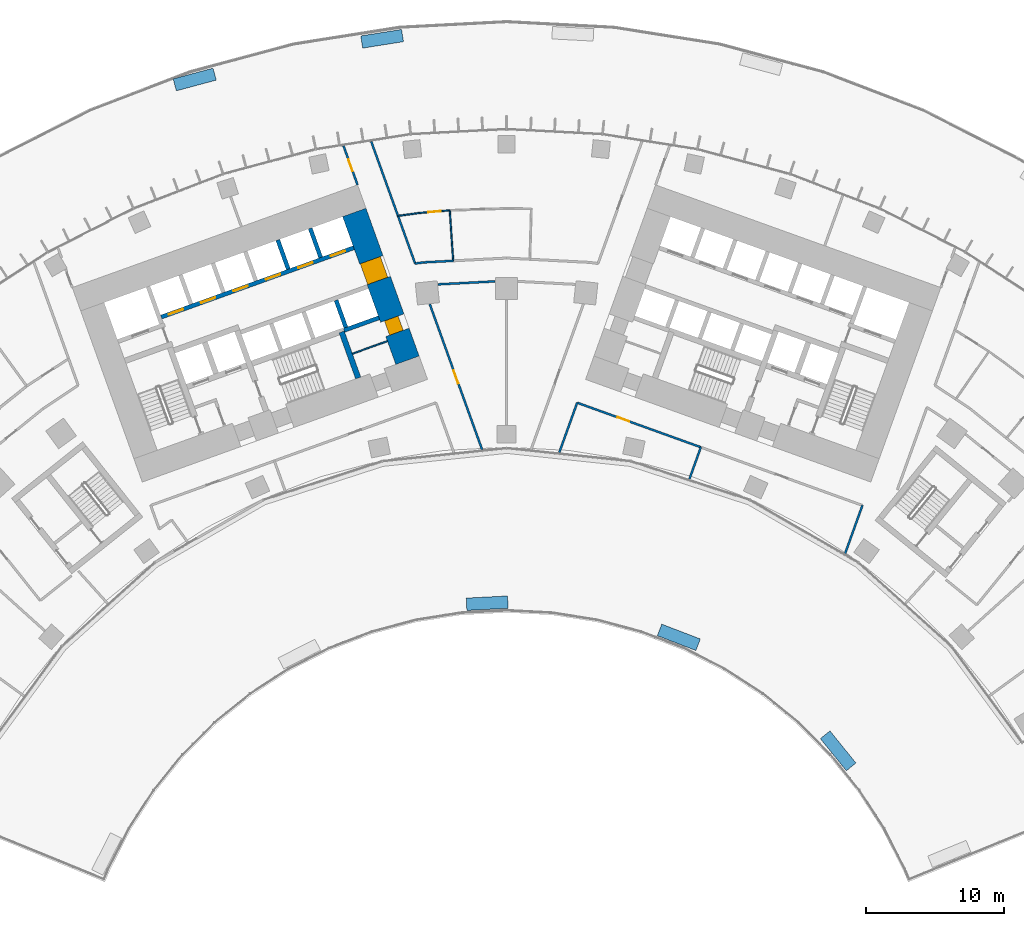
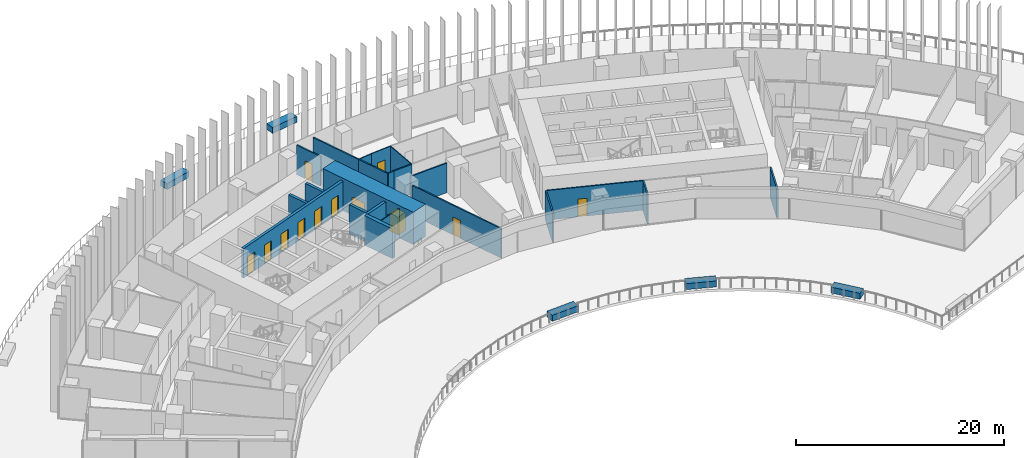
# One storey, part 17 of 24: 27 walls, 12 doors, 12 openings.
"""IFC4 building model written with IfcOpenShell, lengths in metres."""

from ifc_helpers import new_model, si_unit, direction, frame, frame_2d, origin, origin_2d, place, context, subcontext, project, spatial, rectangle, extrude, material, layer, layer_set, type_object, element, fill, save


model = new_model("IFC4")

# Units and contexts
model_context = context("Model", 3, precision=1e-05, world=origin(), true_north=direction((0.0, 1.0)))
body_context = subcontext(model_context, "Body", "Model", "MODEL_VIEW")
ifc_project = project(units=[si_unit("LENGTHUNIT", "METRE"), si_unit("AREAUNIT", "SQUARE_METRE"), si_unit("VOLUMEUNIT", "CUBIC_METRE"), si_unit("PLANEANGLEUNIT", "RADIAN"), si_unit("MASSUNIT", "GRAM", prefix="KILO")], contexts=[model_context])

# Site, building, storey
site_placement = place(None, origin())
site = spatial("IfcSite", under=ifc_project, at=site_placement, CompositionType="ELEMENT")
building_placement = place(site_placement, origin())
building = spatial("IfcBuilding", under=site, at=building_placement, Name="Stone Belt Terrace Tower", CompositionType="ELEMENT")
storey_placement = place(building_placement, frame((0.0, 0.0, 30.0)))
storey = spatial("IfcBuildingStorey", under=building, at=storey_placement, Name="L06", CompositionType="ELEMENT", Elevation=30.0)

# Wall
ifc_material_1 = material(Name="Plasterboard partition")
ifc_layer_1 = layer(ifc_material_1, 0.10009765625)
ifc_layer_set_1 = layer_set([ifc_layer_1], Name="Core partition 100")
wall_type_1 = type_object("IfcWallType", Name="Core partition 100", PredefinedType="PARTITIONING", material=ifc_layer_set_1)
wall_1_placement = place(storey_placement, frame((-11.187744140625, 50.2822265625, 0.0), z_axis=(0.0, 0.0, 1.0), x_axis=(0.940949642365, 0.338546555931, 0.0)))
element("IfcWall", 1, at=wall_1_placement, inside=storey, type_object=wall_type_1, Name="Core A wall", PredefinedType="PARTITIONING", context=body_context, shape_type="SweptSolid", body=[
    extrude(rectangle(XDim=2.699951171875, YDim=0.10009765625, at=frame_2d((1.35009765625, 0.0))), origin(), (0.0, 0.0, 1.0), 3.47998046875),
])

# Wall, openings, doors
ifc_material_2 = material(Name="Concrete B80", Category="concrete")
ifc_layer_2 = layer(ifc_material_2, 1.800048828125)
ifc_layer_set_2 = layer_set([ifc_layer_2], Name="Core wall 1800 B80")
wall_type_2 = type_object("IfcWallType", Name="Core wall 1800 B80", PredefinedType="SHEAR", material=ifc_layer_set_2)
wall_2_placement = place(storey_placement, frame((-7.19091796875, 49.8076171875, 0.0), z_axis=(0.0, 0.0, 1.0), x_axis=(-0.338632255135, 0.940918804033, 0.0)))
wall_2 = element("IfcWall", 2, at=wall_2_placement, inside=storey, type_object=wall_type_2, Name="Core A wall end_b L06", PredefinedType="SHEAR", context=body_context, shape_type="SweptSolid", body=[
    extrude(rectangle(XDim=11.39990234375, YDim=1.800048828125, at=frame_2d((5.699951171875, 0.0))), origin(), (0.0, 0.0, 1.0), 3.800048828125),
])
opening_1_placement = place(wall_2_placement, frame((6.14990234375, 0.0, 0.0)))
opening_1 = element("IfcOpeningElement", 3, at=opening_1_placement, cuts=wall_2, Name="Opening L06-C02", PredefinedType="OPENING", context=body_context, shape_type="SweptSolid", body=[
    extrude(rectangle(XDim=1.60009765625, YDim=2.10009765625, at=frame_2d((0.800048828125, 1.050048828125))), frame((0.0, 0.909912109375, 0.0), z_axis=(0.0, -1.0, 0.0), x_axis=(1.0, 0.0, 0.0)), (0.0, 0.0, 1.0), 1.820068359375),
])
opening_2_placement = place(wall_2_placement, frame((2.14990234375, 0.0, 0.0)))
opening_2 = element("IfcOpeningElement", 4, at=opening_2_placement, cuts=wall_2, Name="Opening L06-C08", PredefinedType="OPENING", context=body_context, shape_type="SweptSolid", body=[
    extrude(rectangle(XDim=1.10009765625, YDim=2.10009765625, at=frame_2d((0.550048828125, 1.050048828125))), frame((0.0, 0.909912109375, 0.0), z_axis=(0.0, -1.0, 0.0), x_axis=(1.0, 0.0, 0.0)), (0.0, 0.0, 1.0), 1.820068359375),
])
ifc_material_3 = material(Name="Timber door leaf", Category="wood")
door_type_1 = type_object("IfcDoorType", Name="Core room door 1100", OperationType="SINGLE_SWING_LEFT", PredefinedType="DOOR", material=ifc_material_3)
door_1_placement = place(opening_2_placement, origin())
door_1 = element("IfcDoor", 5, at=door_1_placement, inside=storey, type_object=door_type_1, Name="Door to Accessible WC core A", OperationType="SINGLE_SWING_RIGHT", OverallHeight=2.10009765625, OverallWidth=1.10009765625, PredefinedType="DOOR", context=body_context, shape_type="SweptSolid", body=[
    extrude(rectangle(XDim=1.10009765625, YDim=2.10009765625, at=frame_2d((0.550048828125, 1.050048828125))), frame((0.0, 0.60498046875, 0.0), z_axis=(0.0, -1.0, 0.0), x_axis=(1.0, 0.0, 0.0)), (0.0, 0.0, 1.0), 1.050048828125),
])
fill(opening_2, door_1)
ifc_material_4 = material(Name="Glazed aluminium door leaf", Category="aluminium")
door_type_2 = type_object("IfcDoorType", Name="Lift lobby entrance door 1600", OperationType="DOUBLE_DOOR_SINGLE_SWING", PredefinedType="DOOR", material=ifc_material_4)
door_2_placement = place(opening_1_placement, origin())
door_2 = element("IfcDoor", 6, at=door_2_placement, inside=storey, type_object=door_type_2, Name="Lift lobby entrance door core A", OperationType="DOUBLE_DOOR_SINGLE_SWING", OverallHeight=2.10009765625, OverallWidth=1.60009765625, PredefinedType="DOOR", context=body_context, shape_type="SweptSolid", body=[
    extrude(rectangle(XDim=1.60009765625, YDim=2.10009765625, at=frame_2d((0.800048828125, 1.050048828125))), frame((0.0, 0.85498046875, 0.0), z_axis=(0.0, -1.0, 0.0), x_axis=(1.0, 0.0, 0.0)), (0.0, 0.0, 1.0), 1.550048828125),
])
fill(opening_1, door_2)

ifc_layer_3 = layer(ifc_material_2, 0.300048828125)
ifc_layer_set_3 = layer_set([ifc_layer_3], Name="Lift shaft wall 300")
wall_type_3 = type_object("IfcWallType", Name="Lift shaft wall 300", PredefinedType="SHEAR", material=ifc_layer_set_3)
wall_3_placement = place(storey_placement, frame((-25.05810546875, 52.9423828125, 0.0), z_axis=(0.0, 0.0, 1.0), x_axis=(0.940918215764, 0.338633889685, 0.0)))
wall_3 = element("IfcWall", 7, at=wall_3_placement, inside=storey, type_object=wall_type_3, Name="Core A wall", PredefinedType="SHEAR", context=body_context, shape_type="SweptSolid", body=[
    extrude(rectangle(XDim=14.850341796875, YDim=0.300048828125, at=frame_2d((7.42529296875, 0.0))), origin(), (0.0, 0.0, 1.0), 3.47998046875),
])
opening_3_placement = place(wall_3_placement, frame((0.570068359375, 0.0, 0.0)))
opening_3 = element("IfcOpeningElement", 8, at=opening_3_placement, cuts=wall_3, Name="Opening L06-LD01", PredefinedType="OPENING", context=body_context, shape_type="SweptSolid", body=[
    extrude(rectangle(XDim=1.10009765625, YDim=2.199951171875, at=frame_2d((0.550048828125, 1.10009765625))), frame((0.0, 0.159912109375, 0.0), z_axis=(0.0, -1.0, 0.0), x_axis=(1.0, 0.0, 0.0)), (0.0, 0.0, 1.0), 0.320068359375),
])
opening_4_placement = place(wall_3_placement, frame((3.070068359375, 0.0, 0.0)))
opening_4 = element("IfcOpeningElement", 9, at=opening_4_placement, cuts=wall_3, Name="Opening L06-LD02", PredefinedType="OPENING", context=body_context, shape_type="SweptSolid", body=[
    extrude(rectangle(XDim=1.10009765625, YDim=2.199951171875, at=frame_2d((0.550048828125, 1.10009765625))), frame((0.0, 0.159912109375, 0.0), z_axis=(0.0, -1.0, 0.0), x_axis=(1.0, 0.0, 0.0)), (0.0, 0.0, 1.0), 0.320068359375),
])
opening_5_placement = place(wall_3_placement, frame((5.570068359375, 0.0, 0.0)))
opening_5 = element("IfcOpeningElement", 10, at=opening_5_placement, cuts=wall_3, Name="Opening L06-LD03", PredefinedType="OPENING", context=body_context, shape_type="SweptSolid", body=[
    extrude(rectangle(XDim=1.10009765625, YDim=2.199951171875, at=frame_2d((0.550048828125, 1.10009765625))), frame((0.0, 0.159912109375, 0.0), z_axis=(0.0, -1.0, 0.0), x_axis=(1.0, 0.0, 0.0)), (0.0, 0.0, 1.0), 0.320068359375),
])
opening_6_placement = place(wall_3_placement, frame((8.070068359375, 0.0, 0.0)))
opening_6 = element("IfcOpeningElement", 11, at=opening_6_placement, cuts=wall_3, Name="Opening L06-LD04", PredefinedType="OPENING", context=body_context, shape_type="SweptSolid", body=[
    extrude(rectangle(XDim=1.10009765625, YDim=2.199951171875, at=frame_2d((0.550048828125, 1.10009765625))), frame((0.0, 0.159912109375, 0.0), z_axis=(0.0, -1.0, 0.0), x_axis=(1.0, 0.0, 0.0)), (0.0, 0.0, 1.0), 0.320068359375),
])
opening_7_placement = place(wall_3_placement, frame((10.570068359375, 0.0, 0.0)))
opening_7 = element("IfcOpeningElement", 12, at=opening_7_placement, cuts=wall_3, Name="Opening L06-LD05", PredefinedType="OPENING", context=body_context, shape_type="SweptSolid", body=[
    extrude(rectangle(XDim=1.10009765625, YDim=2.199951171875, at=frame_2d((0.550048828125, 1.10009765625))), frame((0.0, 0.159912109375, 0.0), z_axis=(0.0, -1.0, 0.0), x_axis=(1.0, 0.0, 0.0)), (0.0, 0.0, 1.0), 0.320068359375),
])
opening_8_placement = place(wall_3_placement, frame((13.070068359375, 0.0, 0.0)))
opening_8 = element("IfcOpeningElement", 13, at=opening_8_placement, cuts=wall_3, Name="Opening L06-LD06", PredefinedType="OPENING", context=body_context, shape_type="SweptSolid", body=[
    extrude(rectangle(XDim=1.10009765625, YDim=2.199951171875, at=frame_2d((0.550048828125, 1.10009765625))), frame((0.0, 0.159912109375, 0.0), z_axis=(0.0, -1.0, 0.0), x_axis=(1.0, 0.0, 0.0)), (0.0, 0.0, 1.0), 0.320068359375),
])
ifc_material_5 = material(Name="Stainless steel door leaf", Category="steel")
door_type_3 = type_object("IfcDoorType", Name="Landing door 1100", OperationType="SLIDING_TO_LEFT", PredefinedType="DOOR", material=ifc_material_5)
door_3_placement = place(opening_3_placement, origin())
door_3 = element("IfcDoor", 14, at=door_3_placement, inside=storey, type_object=door_type_3, Name="Landing door LR1 core A", OperationType="SLIDING_TO_LEFT", OverallHeight=2.199951171875, OverallWidth=1.10009765625, PredefinedType="DOOR", context=body_context, shape_type="SweptSolid", body=[
    extrude(rectangle(XDim=1.10009765625, YDim=2.199951171875, at=frame_2d((0.550048828125, 1.10009765625))), frame((0.0, 0.02490234375, 0.0), z_axis=(0.0, -1.0, 0.0), x_axis=(1.0, 0.0, 0.0)), (0.0, 0.0, 1.0), 0.050048828125),
])
fill(opening_3, door_3)
door_4_placement = place(opening_4_placement, origin())
door_4 = element("IfcDoor", 15, at=door_4_placement, inside=storey, type_object=door_type_3, Name="Landing door LR2 core A", OperationType="SLIDING_TO_LEFT", OverallHeight=2.199951171875, OverallWidth=1.10009765625, PredefinedType="DOOR", context=body_context, shape_type="SweptSolid", body=[
    extrude(rectangle(XDim=1.10009765625, YDim=2.199951171875, at=frame_2d((0.550048828125, 1.10009765625))), frame((0.0, 0.02490234375, 0.0), z_axis=(0.0, -1.0, 0.0), x_axis=(1.0, 0.0, 0.0)), (0.0, 0.0, 1.0), 0.050048828125),
])
fill(opening_4, door_4)
door_5_placement = place(opening_5_placement, origin())
door_5 = element("IfcDoor", 16, at=door_5_placement, inside=storey, type_object=door_type_3, Name="Landing door LR3 core A", OperationType="SLIDING_TO_LEFT", OverallHeight=2.199951171875, OverallWidth=1.10009765625, PredefinedType="DOOR", context=body_context, shape_type="SweptSolid", body=[
    extrude(rectangle(XDim=1.10009765625, YDim=2.199951171875, at=frame_2d((0.550048828125, 1.10009765625))), frame((0.0, 0.02490234375, 0.0), z_axis=(0.0, -1.0, 0.0), x_axis=(1.0, 0.0, 0.0)), (0.0, 0.0, 1.0), 0.050048828125),
])
fill(opening_5, door_5)
door_6_placement = place(opening_6_placement, origin())
door_6 = element("IfcDoor", 17, at=door_6_placement, inside=storey, type_object=door_type_3, Name="Landing door LR4 core A", OperationType="SLIDING_TO_LEFT", OverallHeight=2.199951171875, OverallWidth=1.10009765625, PredefinedType="DOOR", context=body_context, shape_type="SweptSolid", body=[
    extrude(rectangle(XDim=1.10009765625, YDim=2.199951171875, at=frame_2d((0.550048828125, 1.10009765625))), frame((0.0, 0.02490234375, 0.0), z_axis=(0.0, -1.0, 0.0), x_axis=(1.0, 0.0, 0.0)), (0.0, 0.0, 1.0), 0.050048828125),
])
fill(opening_6, door_6)
door_7_placement = place(opening_7_placement, origin())
door_7 = element("IfcDoor", 18, at=door_7_placement, inside=storey, type_object=door_type_3, Name="Landing door LR5 core A", OperationType="SLIDING_TO_LEFT", OverallHeight=2.199951171875, OverallWidth=1.10009765625, PredefinedType="DOOR", context=body_context, shape_type="SweptSolid", body=[
    extrude(rectangle(XDim=1.10009765625, YDim=2.199951171875, at=frame_2d((0.550048828125, 1.10009765625))), frame((0.0, 0.02490234375, 0.0), z_axis=(0.0, -1.0, 0.0), x_axis=(1.0, 0.0, 0.0)), (0.0, 0.0, 1.0), 0.050048828125),
])
fill(opening_7, door_7)
door_8_placement = place(opening_8_placement, origin())
door_8 = element("IfcDoor", 19, at=door_8_placement, inside=storey, type_object=door_type_3, Name="Landing door LR6 core A", OperationType="SLIDING_TO_LEFT", OverallHeight=2.199951171875, OverallWidth=1.10009765625, PredefinedType="DOOR", context=body_context, shape_type="SweptSolid", body=[
    extrude(rectangle(XDim=1.10009765625, YDim=2.199951171875, at=frame_2d((0.550048828125, 1.10009765625))), frame((0.0, 0.02490234375, 0.0), z_axis=(0.0, -1.0, 0.0), x_axis=(1.0, 0.0, 0.0)), (0.0, 0.0, 1.0), 0.050048828125),
])
fill(opening_8, door_8)

# Walls
wall_4_placement = place(storey_placement, frame((-15.8408203125, 56.419189453125, 0.0), z_axis=(0.0, 0.0, 1.0), x_axis=(-0.338569601369, 0.940941350472, 0.0)))
element("IfcWall", 20, at=wall_4_placement, inside=storey, type_object=wall_type_3, Name="Core A wall", PredefinedType="SHEAR", context=body_context, shape_type="SweptSolid", body=[
    extrude(rectangle(XDim=2.249755859375, YDim=0.300048828125, at=frame_2d((1.125, 0.0))), origin(), (0.0, 0.0, 1.0), 3.47998046875),
])
wall_5_placement = place(storey_placement, frame((-11.797119140625, 51.975830078125, 0.0), z_axis=(0.0, 0.0, 1.0), x_axis=(0.940910465161, 0.33865542451, 0.0)))
element("IfcWall", 21, at=wall_5_placement, inside=storey, type_object=wall_type_3, Name="Core A wall", PredefinedType="SHEAR", context=body_context, shape_type="SweptSolid", body=[
    extrude(rectangle(XDim=2.69970703125, YDim=0.300048828125, at=frame_2d((1.349853515625, 0.0))), origin(), (0.0, 0.0, 1.0), 3.47998046875),
])
wall_6_placement = place(storey_placement, frame((-11.659912109375, 52.184814453125, 0.0), z_axis=(0.0, 0.0, 1.0), x_axis=(-0.338670064856, 0.940905195634, 0.0)))
element("IfcWall", 22, at=wall_6_placement, inside=storey, type_object=wall_type_3, Name="Core A wall", PredefinedType="SHEAR", context=body_context, shape_type="SweptSolid", body=[
    extrude(rectangle(XDim=2.099853515625, YDim=0.300048828125, at=frame_2d((1.0498046875, 0.0))), origin(), (0.0, 0.0, 1.0), 3.47998046875),
])
wall_7_placement = place(storey_placement, frame((-13.48828125, 57.265625, 0.0), z_axis=(0.0, 0.0, 1.0), x_axis=(-0.338631098537, 0.940919220286, 0.0)))
element("IfcWall", 23, at=wall_7_placement, inside=storey, type_object=wall_type_3, Name="Core A wall", PredefinedType="SHEAR", context=body_context, shape_type="SweptSolid", body=[
    extrude(rectangle(XDim=2.250244140625, YDim=0.300048828125, at=frame_2d((1.125, 0.0))), origin(), (0.0, 0.0, 1.0), 3.47998046875),
])

# Wall, opening, door
ifc_material_6 = material(Name="Gypsum board partition")
ifc_layer_4 = layer(ifc_material_6, 0.10009765625)
ifc_layer_set_4 = layer_set([ifc_layer_4], Name="PARTITION 100")
wall_type_4 = type_object("IfcWallType", Name="PARTITION 100", PredefinedType="PARTITIONING", material=ifc_layer_set_4)
wall_8_placement = place(storey_placement, frame((-4.123046875, 60.68505859375, 0.0), z_axis=(0.0, 0.0, 1.0), x_axis=(-0.996287406796, -0.086089506093, 0.0)))
wall_8 = element("IfcWall", 24, at=wall_8_placement, inside=storey, type_object=wall_type_4, Name="L06/wall/i090", PredefinedType="PARTITIONING", context=body_context, shape_type="SweptSolid", body=[
    extrude(rectangle(XDim=2.2431640625, YDim=0.10009765625, at=frame_2d((1.12158203125, 0.0))), origin(), (0.0, 0.0, 1.0), 3.47998046875),
])
opening_9_placement = place(wall_8_placement, frame((0.671630859375, 0.0, 0.0)))
opening_9 = element("IfcOpeningElement", 25, at=opening_9_placement, cuts=wall_8, Name="Opening D-A1-29", PredefinedType="OPENING", context=body_context, shape_type="SweptSolid", body=[
    extrude(rectangle(XDim=0.89990234375, YDim=2.10009765625, at=frame_2d((0.449951171875, 1.050048828125))), frame((0.0, 0.06005859375, 0.0), z_axis=(0.0, -1.0, 0.0), x_axis=(1.0, 0.0, 0.0)), (0.0, 0.0, 1.0), 0.1201171875),
])
door_type_4 = type_object("IfcDoorType", Name="OFFICE DOOR 900 X 2100", OperationType="NOTDEFINED", PredefinedType="DOOR", material=ifc_material_3)
door_9_placement = place(opening_9_placement, origin())
door_9 = element("IfcDoor", 26, at=door_9_placement, inside=storey, type_object=door_type_4, Name="L06/door/i29", OperationType="SINGLE_SWING_RIGHT", OverallHeight=2.10009765625, OverallWidth=0.89990234375, PredefinedType="DOOR", context=body_context, shape_type="SweptSolid", body=[
    extrude(rectangle(XDim=0.89990234375, YDim=2.10009765625, at=frame_2d((0.449951171875, 1.050048828125))), frame((0.0, 0.02490234375, 0.0), z_axis=(0.0, -1.0, 0.0), x_axis=(1.0, 0.0, 0.0)), (0.0, 0.0, 1.0), 0.050048828125),
])
fill(opening_9, door_9)

# Walls
wall_9_placement = place(storey_placement, frame((-6.35791015625, 60.491943359375, 0.0), z_axis=(0.0, 0.0, 1.0), x_axis=(-0.990874606543, -0.134786921134, 0.0)))
element("IfcWall", 27, at=wall_9_placement, inside=storey, type_object=wall_type_4, Name="L06/wall/i091", PredefinedType="PARTITIONING", context=body_context, shape_type="SweptSolid", body=[
    extrude(rectangle(XDim=1.535888671875, YDim=0.10009765625, at=frame_2d((0.76806640625, 0.0))), origin(), (0.0, 0.0, 1.0), 3.47998046875),
])
wall_10_placement = place(storey_placement, frame((-4.123046875, 60.68505859375, 0.0), z_axis=(0.0, 0.0, 1.0), x_axis=(0.067825323617, -0.99769721132, 0.0)))
element("IfcWall", 28, at=wall_10_placement, inside=storey, type_object=wall_type_4, Name="L06/wall/i095", PredefinedType="PARTITIONING", context=body_context, shape_type="SweptSolid", body=[
    extrude(rectangle(XDim=3.671630859375, YDim=0.10009765625, at=frame_2d((1.8359375, 0.0))), origin(), (0.0, 0.0, 1.0), 3.47998046875),
])

# Wall, opening, door
ifc_layer_5 = layer(ifc_material_6, 0.14990234375)
ifc_layer_set_5 = layer_set([ifc_layer_5], Name="PARTITION 150 EI 60")
wall_type_5 = type_object("IfcWallType", Name="PARTITION 150 EI 60", PredefinedType="PARTITIONING", material=ifc_layer_set_5)
wall_11_placement = place(storey_placement, frame((-10.81396484375, 62.531982421875, 0.0), z_axis=(0.0, 0.0, 1.0), x_axis=(-0.338526810165, 0.940956746508, 0.0)))
wall_11 = element("IfcWall", 29, at=wall_11_placement, inside=storey, type_object=wall_type_5, Name="L06/wall/i010", PredefinedType="PARTITIONING", context=body_context, shape_type="SweptSolid", body=[
    extrude(rectangle(XDim=3.006591796875, YDim=0.14990234375, at=frame_2d((1.50341796875, 0.0))), origin(), (0.0, 0.0, 1.0), 3.47998046875),
])
opening_10_placement = place(wall_11_placement, frame((1.05322265625, 0.0, 0.0)))
opening_10 = element("IfcOpeningElement", 30, at=opening_10_placement, cuts=wall_11, Name="Opening D-A1-04", PredefinedType="OPENING", context=body_context, shape_type="SweptSolid", body=[
    extrude(rectangle(XDim=0.89990234375, YDim=2.10009765625, at=frame_2d((0.449951171875, 1.050048828125))), frame((0.0, 0.0849609375, 0.0), z_axis=(0.0, -1.0, 0.0), x_axis=(1.0, 0.0, 0.0)), (0.0, 0.0, 1.0), 0.169921875),
])
door_10_placement = place(opening_10_placement, origin())
door_10 = element("IfcDoor", 31, at=door_10_placement, inside=storey, type_object=door_type_4, Name="L06/door/i04", OperationType="SINGLE_SWING_RIGHT", OverallHeight=2.10009765625, OverallWidth=0.89990234375, PredefinedType="DOOR", context=body_context, shape_type="SweptSolid", body=[
    extrude(rectangle(XDim=0.89990234375, YDim=2.10009765625, at=frame_2d((0.449951171875, 1.050048828125))), frame((0.0, 0.02490234375, 0.0), z_axis=(0.0, -1.0, 0.0), x_axis=(1.0, 0.0, 0.0)), (0.0, 0.0, 1.0), 0.050048828125),
])
fill(opening_10, door_10)

wall_12_placement = place(storey_placement, frame((-5.574951171875, 53.88232421875, 0.0), z_axis=(0.0, 0.0, 1.0), x_axis=(0.338622486498, -0.940922319662, 0.0)))
wall_12 = element("IfcWall", 32, at=wall_12_placement, inside=storey, type_object=wall_type_5, Name="L06/wall/i011", PredefinedType="PARTITIONING", context=body_context, shape_type="SweptSolid", body=[
    extrude(rectangle(XDim=11.232177734375, YDim=0.14990234375, at=frame_2d((5.6162109375, 0.0))), origin(), (0.0, 0.0, 1.0), 3.47998046875),
])
opening_11_placement = place(wall_12_placement, frame((5.1162109375, 0.0, 0.0)))
opening_11 = element("IfcOpeningElement", 33, at=opening_11_placement, cuts=wall_12, Name="Opening D-A1-26", PredefinedType="OPENING", context=body_context, shape_type="SweptSolid", body=[
    extrude(rectangle(XDim=1.0, YDim=2.10009765625, at=frame_2d((0.5, 1.050048828125))), frame((0.0, 0.0849609375, 0.0), z_axis=(0.0, -1.0, 0.0), x_axis=(1.0, 0.0, 0.0)), (0.0, 0.0, 1.0), 0.169921875),
])
ifc_material_7 = material(Name="Timber fire door leaf", Category="wood")
door_type_5 = type_object("IfcDoorType", Name="TENANCY ENTRANCE DOOR 1000 X 2100", OperationType="NOTDEFINED", PredefinedType="DOOR", material=ifc_material_7)
door_11_placement = place(opening_11_placement, origin())
door_11 = element("IfcDoor", 34, at=door_11_placement, inside=storey, type_object=door_type_5, Name="L06/door/i26", OperationType="SINGLE_SWING_LEFT", OverallHeight=2.10009765625, OverallWidth=1.0, PredefinedType="DOOR", context=body_context, shape_type="SweptSolid", body=[
    extrude(rectangle(XDim=1.0, YDim=2.10009765625, at=frame_2d((0.5, 1.050048828125))), frame((0.0, 0.02490234375, 0.0), z_axis=(0.0, -1.0, 0.0), x_axis=(1.0, 0.0, 0.0)), (0.0, 0.0, 1.0), 0.050048828125),
])
fill(opening_11, door_11)

# Walls
wall_13_placement = place(storey_placement, frame((-9.8212890625, 65.68115234375, 0.0), z_axis=(0.0, 0.0, 1.0), x_axis=(0.338654718981, -0.940910719097, 0.0)))
element("IfcWall", 35, at=wall_13_placement, inside=storey, type_object=wall_type_5, Name="L06/wall/i012", PredefinedType="PARTITIONING", context=body_context, shape_type="SweptSolid", body=[
    extrude(rectangle(XDim=5.741455078125, YDim=0.14990234375, at=frame_2d((2.87060546875, 0.0))), origin(), (0.0, 0.0, 1.0), 3.47998046875),
])
wall_14_placement = place(storey_placement, frame((-7.881103515625, 60.291015625, 0.0), z_axis=(0.0, 0.0, 1.0), x_axis=(0.338379307306, -0.941009800367, 0.0)))
element("IfcWall", 36, at=wall_14_placement, inside=storey, type_object=wall_type_5, Name="L06/wall/i013", PredefinedType="PARTITIONING", context=body_context, shape_type="SweptSolid", body=[
    extrude(rectangle(XDim=3.685302734375, YDim=0.14990234375, at=frame_2d((1.8427734375, 0.0))), origin(), (0.0, 0.0, 1.0), 3.47998046875),
])
wall_15_placement = place(storey_placement, frame((5.126953125, 46.73095703125, 0.0), z_axis=(0.0, 0.0, 1.0), x_axis=(-0.338659002829, -0.940909177234, 0.0)))
element("IfcWall", 37, at=wall_15_placement, inside=storey, type_object=wall_type_5, Name="L06/wall/i018", PredefinedType="PARTITIONING", context=body_context, shape_type="SweptSolid", body=[
    extrude(rectangle(XDim=3.8603515625, YDim=0.14990234375, at=frame_2d((1.93017578125, 0.0))), origin(), (0.0, 0.0, 1.0), 3.47998046875),
])
wall_16_placement = place(storey_placement, frame((24.56494140625, 35.771728515625, 0.0), z_axis=(0.0, 0.0, 1.0), x_axis=(0.338392582605, 0.941005026574, 0.0)))
element("IfcWall", 38, at=wall_16_placement, inside=storey, type_object=wall_type_5, Name="L06/wall/i022", PredefinedType="PARTITIONING", context=body_context, shape_type="SweptSolid", body=[
    extrude(rectangle(XDim=3.729248046875, YDim=0.14990234375, at=frame_2d((1.86474609375, 0.0))), origin(), (0.0, 0.0, 1.0), 3.47998046875),
])

# Wall, opening, door
wall_17_placement = place(storey_placement, frame((14.10498046875, 43.492919921875, 0.0), z_axis=(0.0, 0.0, 1.0), x_axis=(-0.940907954382, 0.338662400306, 0.0)))
wall_17 = element("IfcWall", 39, at=wall_17_placement, inside=storey, type_object=wall_type_5, Name="L06/wall/i029", PredefinedType="PARTITIONING", context=body_context, shape_type="SweptSolid", body=[
    extrude(rectangle(XDim=9.5439453125, YDim=0.14990234375, at=frame_2d((4.77197265625, 0.0))), origin(), (0.0, 0.0, 1.0), 3.47998046875),
])
opening_12_placement = place(wall_17_placement, frame((5.528564453125, 0.0, 0.0)))
opening_12 = element("IfcOpeningElement", 40, at=opening_12_placement, cuts=wall_17, Name="Opening D-A1-05", PredefinedType="OPENING", context=body_context, shape_type="SweptSolid", body=[
    extrude(rectangle(XDim=0.89990234375, YDim=2.10009765625, at=frame_2d((0.449951171875, 1.050048828125))), frame((0.0, 0.0849609375, 0.0), z_axis=(0.0, -1.0, 0.0), x_axis=(1.0, 0.0, 0.0)), (0.0, 0.0, 1.0), 0.169921875),
])
door_12_placement = place(opening_12_placement, origin())
door_12 = element("IfcDoor", 41, at=door_12_placement, inside=storey, type_object=door_type_4, Name="L06/door/i05", OperationType="SINGLE_SWING_RIGHT", OverallHeight=2.10009765625, OverallWidth=0.89990234375, PredefinedType="DOOR", context=body_context, shape_type="SweptSolid", body=[
    extrude(rectangle(XDim=0.89990234375, YDim=2.10009765625, at=frame_2d((0.449951171875, 1.050048828125))), frame((0.0, 0.02490234375, 0.0), z_axis=(0.0, -1.0, 0.0), x_axis=(1.0, 0.0, 0.0)), (0.0, 0.0, 1.0), 0.050048828125),
])
fill(opening_12, door_12)

# Walls
wall_18_placement = place(storey_placement, frame((14.09912109375, 43.4951171875, 0.0), z_axis=(0.0, 0.0, 1.0), x_axis=(-0.338564995421, -0.940943007772, 0.0)))
element("IfcWall", 42, at=wall_18_placement, inside=storey, type_object=wall_type_5, Name="L06/wall/i031", PredefinedType="PARTITIONING", context=body_context, shape_type="SweptSolid", body=[
    extrude(rectangle(XDim=2.462646484375, YDim=0.14990234375, at=frame_2d((1.2314453125, 0.0))), origin(), (0.0, 0.0, 1.0), 3.47998046875),
])
wall_19_placement = place(storey_placement, frame((-0.830078125, 55.531494140625, 0.0), z_axis=(0.0, 0.0, 1.0), x_axis=(-0.998634659291, -0.052238082501, 0.0)))
element("IfcWall", 43, at=wall_19_placement, inside=storey, type_object=wall_type_5, Name="L06/wall/i081", PredefinedType="PARTITIONING", context=body_context, shape_type="SweptSolid", body=[
    extrude(rectangle(XDim=4.15478515625, YDim=0.14990234375, at=frame_2d((2.077392578125, 0.0))), origin(), (0.0, 0.0, 1.0), 3.47998046875),
])
wall_20_placement = place(storey_placement, frame((-6.635986328125, 56.8291015625, 0.0), z_axis=(0.0, 0.0, 1.0), x_axis=(0.992042541351, 0.125903122083, 0.0)))
element("IfcWall", 44, at=wall_20_placement, inside=storey, type_object=wall_type_5, Name="L06/wall/i085", PredefinedType="PARTITIONING", context=body_context, shape_type="SweptSolid", body=[
    extrude(rectangle(XDim=0.6591796875, YDim=0.14990234375, at=frame_2d((0.32958984375, 0.0))), origin(), (0.0, 0.0, 1.0), 3.47998046875),
])
wall_21_placement = place(storey_placement, frame((-5.98193359375, 56.912109375, 0.0), z_axis=(0.0, 0.0, 1.0), x_axis=(0.998628322713, 0.052359078244, 0.0)))
element("IfcWall", 45, at=wall_21_placement, inside=storey, type_object=wall_type_5, Name="L06/wall/i086", PredefinedType="PARTITIONING", context=body_context, shape_type="SweptSolid", body=[
    extrude(rectangle(XDim=2.116943359375, YDim=0.14990234375, at=frame_2d((1.05859375, 0.0))), origin(), (0.0, 0.0, 1.0), 3.47998046875),
])
ifc_material_8 = material(Name="Precast concrete C40/50", Category="concrete")
ifc_layer_6 = layer(ifc_material_8, 0.89990234375)
ifc_layer_set_6 = layer_set([ifc_layer_6], Name="Planter box 900 x 700")
wall_type_6 = type_object("IfcWallType", Name="Planter box 900 x 700", PredefinedType="SOLIDWALL", material=ifc_layer_set_6)
for number, where, z_axis, x_axis, name in (
    (46, (-1.40673828125, 32.17724609375, 0.0), (0.0, 0.0, 1.0), (0.998629534755, 0.052335956243, 0.0), "PLANTER L06 2"),
    (47, (12.501220703125, 29.699462890625, 0.0), (0.0, 0.0, 1.0), (0.933580426497, -0.358367949545, 0.0), "PLANTER L06 3"),
    (48, (24.062255859375, 21.462890625, 0.0), (0.0, 0.0, 1.0), (0.62932039105, -0.777145961457, 0.0), "PLANTER L06 4"),
    (49, (-9.031494140625, 73.135498046875, 0.0), (0.0, 0.0, 1.0), (-0.987688340595, -0.15643446504, 0.0), "PLANTER L06 3"),
    (50, (-22.632568359375, 70.181396484375, 0.0), (0.0, 0.0, 1.0), (-0.965925826289, -0.258819045103, 0.0), "PLANTER L06 4"),
):
    element("IfcWall", number, at=place(storey_placement, frame(where, z_axis=z_axis, x_axis=x_axis)), inside=storey, type_object=wall_type_6, Name=name, PredefinedType="SOLIDWALL", context=body_context, shape_type="SweptSolid", body=[
        extrude(rectangle(XDim=3.0, YDim=0.89990234375, at=origin_2d()), origin(), (0.0, 0.0, 1.0), 0.699951171875),
    ])
ifc_layer_7 = layer(ifc_material_2, 0.39990234375)
ifc_layer_set_7 = layer_set([ifc_layer_7], Name="Stair enclosure wall 400")
wall_type_7 = type_object("IfcWallType", Name="Stair enclosure wall 400", PredefinedType="SHEAR", material=ifc_layer_set_7)
wall_22_placement = place(storey_placement, frame((-10.766357421875, 48.520751953125, 0.0), z_axis=(0.0, 0.0, 1.0), x_axis=(-0.338626928157, 0.94092072117, 0.0)))
element("IfcWall", 51, at=wall_22_placement, inside=storey, type_object=wall_type_7, Name="Core A wall", PredefinedType="SHEAR", context=body_context, shape_type="SweptSolid", body=[
    extrude(rectangle(XDim=3.550048828125, YDim=0.39990234375, at=frame_2d((1.77490234375, 0.0))), origin(), (0.0, 0.0, 1.0), 3.47998046875),
])

save(model, "model.ifc")
